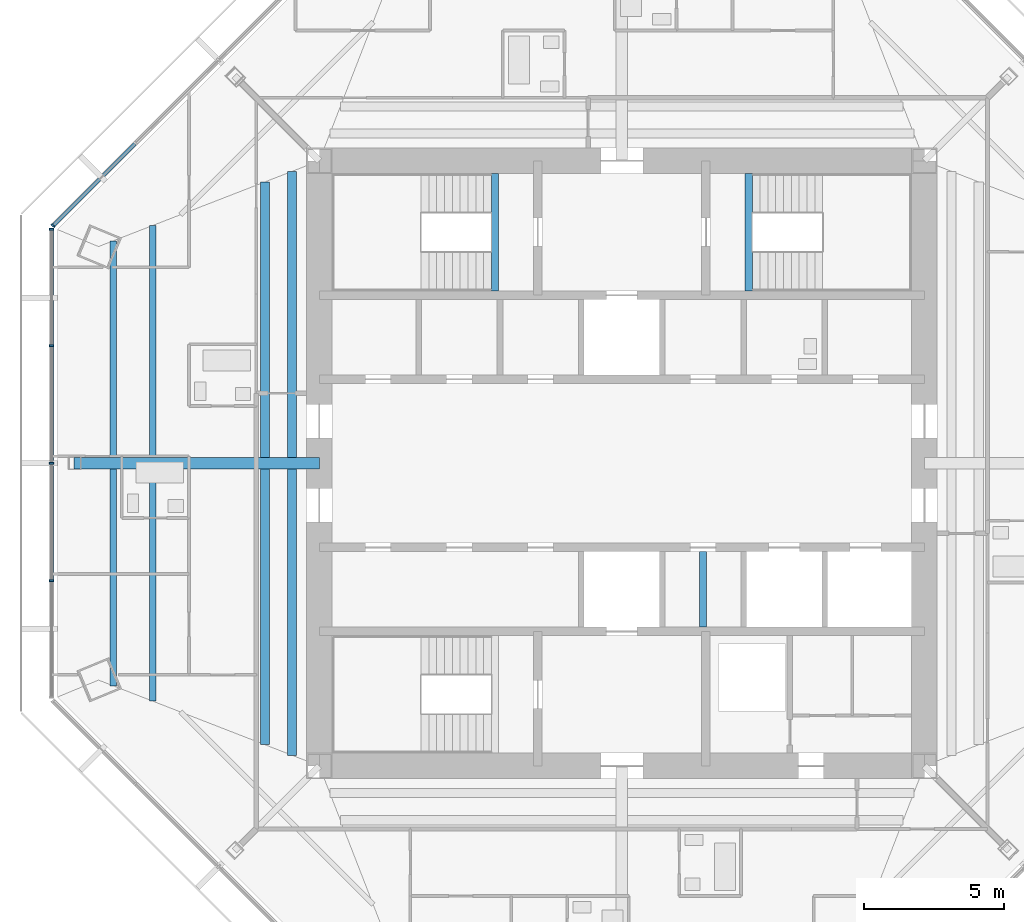
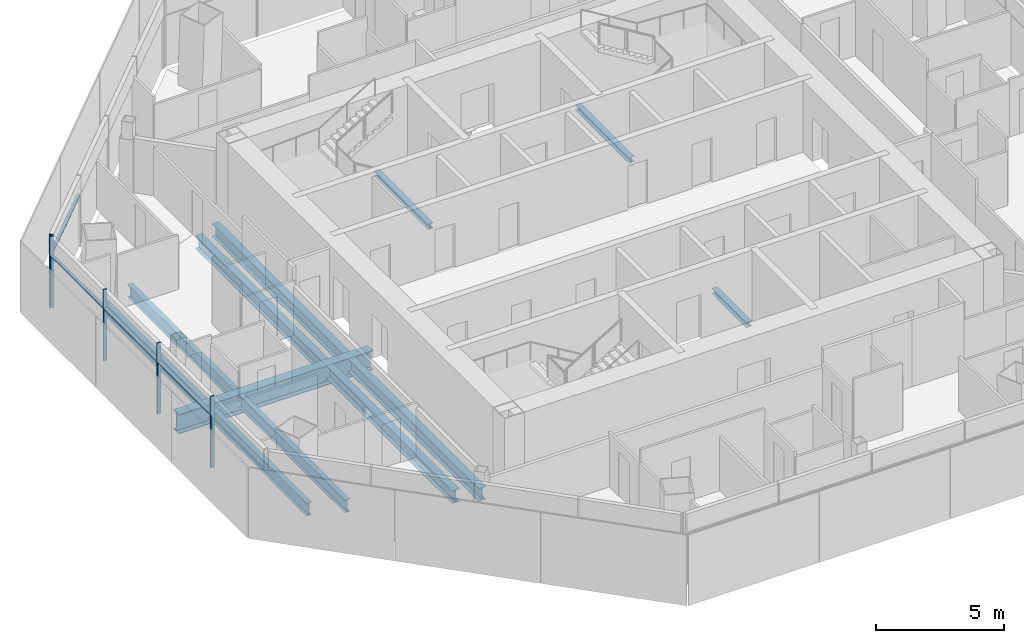
# One storey, part 4 of 15: 12 beams, 9 members, 2 elements without a shape of their own.
"""IFC4 building model written with IfcOpenShell, lengths in metres."""

import ifcopenshell
import ifcopenshell.guid

model = None  # the IFC model being written
_history = None  # IfcOwnerHistory: only IFC2X3 demands one
_inside = {}  # id of a spatial element -> (the spatial element, [elements in it])
_under = {}  # id of a project, library or spatial element -> (it, [spatial elements below it])
_declared = {}  # id of a project -> (the project, [libraries it declares])
_typed = {}  # id of a type object -> (the type object, [elements of that type])
_made_of = {}  # id of a material, layer set ... -> (it, [elements and type objects made of it])


def new_model(schema):
    """Start an empty IFC model of exactly this schema.

    Asked for "IFC4X3", IfcOpenShell would pick the latest addendum, in which some entities
    have other attributes; the version numbers below select the first issue.
    IFC2X3 requires an IfcOwnerHistory on every rooted entity: one is made here for all.
    """
    global model, _history
    if schema == "IFC4X3":
        model = ifcopenshell.file(schema_version=(4, 3, 0, 0))
    else:
        model = ifcopenshell.file(schema=schema)
    _inside.clear()
    _under.clear()
    _declared.clear()
    _typed.clear()
    _made_of.clear()
    _history = None
    if model.schema == "IFC2X3":
        org = make("IfcOrganization", Name="unknown")
        user = make(
            "IfcPersonAndOrganization",
            ThePerson=make("IfcPerson", FamilyName="unknown"),
            TheOrganization=org,
        )
        app = make(
            "IfcApplication",
            ApplicationDeveloper=org,
            Version="unknown",
            ApplicationFullName="unknown",
            ApplicationIdentifier="unknown",
        )
        _history = make(
            "IfcOwnerHistory",
            OwningUser=user,
            OwningApplication=app,
            ChangeAction="ADDED",
            CreationDate=0,
        )
    return model


def make(cls, **values):
    """One entity of the class cls with the attributes given. An attribute that is None is left unset."""
    return model.create_entity(
        cls, **{name: value for name, value in values.items() if value is not None}
    )


def rooted(cls, **values):
    """An entity with a GlobalId (a new one), such as an element, a storey or a relation."""
    return make(cls, GlobalId=ifcopenshell.guid.new(), OwnerHistory=_history, **values)


def si_unit(unit_type, name, prefix=None):
    """IfcSIUnit, for example si_unit("LENGTHUNIT", "METRE", prefix="MILLI")."""
    return make("IfcSIUnit", UnitType=unit_type, Prefix=prefix, Name=name)


def assignment(units):
    """IfcUnitAssignment: the units of a project."""
    return None if units is None else make("IfcUnitAssignment", Units=units)


def point(xyz):
    """IfcCartesianPoint."""
    return None if xyz is None else make("IfcCartesianPoint", Coordinates=xyz)


def direction(xyz):
    """IfcDirection."""
    return None if xyz is None else make("IfcDirection", DirectionRatios=xyz)


def frame(location, z_axis=None, x_axis=None):
    """IfcAxis2Placement3D, a coordinate frame: its origin and axes. An axis left out is left unset."""
    return make(
        "IfcAxis2Placement3D",
        Location=point(location),
        Axis=direction(z_axis),
        RefDirection=direction(x_axis),
    )


def frame_2d(location, x_axis=None):
    """IfcAxis2Placement2D, a coordinate frame in the plane: its origin and x axis."""
    return make(
        "IfcAxis2Placement2D", Location=point(location), RefDirection=direction(x_axis)
    )


def origin():
    """The frame at (0, 0, 0) with its axes left unset."""
    return frame((0.0, 0.0, 0.0))


def origin_2d():
    """The frame at (0, 0) in the plane with its x axis left unset."""
    return frame_2d((0.0, 0.0))


def place(relative_to, where):
    """IfcLocalPlacement: puts the frame where relative to a parent placement (None: the world)."""
    return make(
        "IfcLocalPlacement", PlacementRelTo=relative_to, RelativePlacement=where
    )


def context(
    kind, dimensions, precision=None, world=None, true_north=None, identifier=None
):
    """IfcGeometricRepresentationContext, for example the 3D "Model" context."""
    return make(
        "IfcGeometricRepresentationContext",
        ContextIdentifier=identifier,
        ContextType=kind,
        CoordinateSpaceDimension=dimensions,
        Precision=precision,
        WorldCoordinateSystem=world,
        TrueNorth=true_north,
    )


def subcontext(parent, identifier, kind, view, scale=None):
    """IfcGeometricRepresentationSubContext, for example "Body" below "Model"."""
    return make(
        "IfcGeometricRepresentationSubContext",
        ContextIdentifier=identifier,
        ContextType=kind,
        ParentContext=parent,
        TargetScale=scale,
        TargetView=view,
    )


def project(units=None, contexts=None):
    """IfcProject with its units and contexts."""
    return rooted(
        "IfcProject",
        Name="project",
        RepresentationContexts=contexts,
        UnitsInContext=assignment(units),
    )


def spatial(cls, under=None, at=None, **own):
    """A site, building, storey or space (cls), placed at a placement, below another one or the project."""
    s = rooted(cls, ObjectPlacement=at, **own)
    if under is not None:
        _under.setdefault(under.id(), (under, []))[1].append(s)
    return s


def profile(cls, at=None, kind="AREA", **sizes):
    """A parametric profile (cls). Its sizes go by their IFC names, for example OverallWidth=200.0."""
    return make(cls, ProfileType=kind, Position=at, **sizes)


def rectangle(**sizes):
    """IfcRectangleProfileDef."""
    return profile("IfcRectangleProfileDef", **sizes)


def i_section(**sizes):
    """IfcIShapeProfileDef."""
    return profile("IfcIShapeProfileDef", **sizes)


def extrude(swept, where, along, depth):
    """IfcExtrudedAreaSolid: the profile swept, set in the frame where, extruded along a direction by depth."""
    return make(
        "IfcExtrudedAreaSolid",
        SweptArea=swept,
        Position=where,
        ExtrudedDirection=direction(along),
        Depth=depth,
    )


def shape(context_of_items, identifier, shape_type, items):
    """IfcShapeRepresentation: the items that make up one representation, for example the "Body"."""
    return make(
        "IfcShapeRepresentation",
        ContextOfItems=context_of_items,
        RepresentationIdentifier=identifier,
        RepresentationType=shape_type,
        Items=items,
    )


def source(mapping_origin, context_of_items, identifier, shape_type, items):
    """IfcRepresentationMap: a shape defined once, which mapped items show again and again."""
    return make(
        "IfcRepresentationMap",
        MappingOrigin=mapping_origin,
        MappedRepresentation=shape(context_of_items, identifier, shape_type, items),
    )


def transform(
    local_origin,
    x_axis=None,
    y_axis=None,
    z_axis=None,
    scale=None,
    scale2=None,
    scale3=None,
    uniform=True,
):
    """IfcCartesianTransformationOperator3D, or its non-uniform kind. x_axis, y_axis, z_axis: its Axis1, 2, 3."""
    if uniform:
        return make(
            "IfcCartesianTransformationOperator3D",
            Axis1=direction(x_axis),
            Axis2=direction(y_axis),
            LocalOrigin=point(local_origin),
            Scale=scale,
            Axis3=direction(z_axis),
        )
    return make(
        "IfcCartesianTransformationOperator3DnonUniform",
        Axis1=direction(x_axis),
        Axis2=direction(y_axis),
        LocalOrigin=point(local_origin),
        Scale=scale,
        Axis3=direction(z_axis),
        Scale2=scale2,
        Scale3=scale3,
    )


def mapped(mapping_source, mapping_target):
    """IfcMappedItem: shows the shape of a source again, moved by a transform."""
    return make(
        "IfcMappedItem", MappingSource=mapping_source, MappingTarget=mapping_target
    )


def material(Name=None, Category=None):
    """IfcMaterial."""
    return make("IfcMaterial", Name=Name, Category=Category)


def material_profile(
    of_material, cross_section, Name=None, Category=None, Priority=None
):
    """IfcMaterialProfile: a cross section and its material."""
    return make(
        "IfcMaterialProfile",
        Name=Name,
        Material=of_material,
        Profile=cross_section,
        Priority=Priority,
        Category=Category,
    )


def profile_set(profiles, Name=None, composite=None):
    """IfcMaterialProfileSet."""
    return make(
        "IfcMaterialProfileSet",
        Name=Name,
        MaterialProfiles=profiles,
        CompositeProfile=composite,
    )


def made_of(thing, what):
    """Note that an element or type object is made of a material, layer set ...; save() writes the relation."""
    if what is not None:
        _made_of.setdefault(what.id(), (what, []))[1].append(thing)
    return thing


def type_object(cls, material=None, **own):
    """A type object (cls), such as IfcWallType, which elements share."""
    return made_of(rooted(cls, **own), material)


def type_shapes(of_type, sources):
    """Give a type object the sources (RepresentationMaps) that its elements show as mapped items."""
    of_type.RepresentationMaps = sources


def element(
    cls,
    number,
    at=None,
    inside=None,
    cuts=None,
    type_object=None,
    material=None,
    context=None,
    identifier="Body",
    shape_type=None,
    held_by="IfcProductDefinitionShape",
    body=None,
    shapes=None,
    **own,
):
    """One element of the class cls, such as IfcWall. Its Tag is "e" and its number.

    at: its placement. inside: the storey or other place that contains it. cuts: it is an
    opening in that element (IfcRelVoidsElement). A single representation is given by context,
    identifier, shape_type and body (its items); several are given by shapes. held_by: the class
    of the entity that holds the representations. save() writes the other relations.
    """
    e = rooted(cls, Tag="e%d" % number, ObjectPlacement=at, **own)
    if body is not None:
        shapes = [shape(context, identifier, shape_type, body)]
    if shapes is not None:
        e.Representation = make(held_by, Representations=shapes)
    if inside is not None:
        _inside.setdefault(inside.id(), (inside, []))[1].append(e)
    if cuts is not None:
        rooted(
            "IfcRelVoidsElement", RelatingBuildingElement=cuts, RelatedOpeningElement=e
        )
    if type_object is not None:
        _typed.setdefault(type_object.id(), (type_object, []))[1].append(e)
    return made_of(e, material)


def aggregate(whole, parts):
    """IfcRelAggregates: a whole, such as a stair, and the parts it consists of."""
    return rooted("IfcRelAggregates", RelatingObject=whole, RelatedObjects=parts)


def save(model, path):
    """Write the relations noted so far, then the file.

    IfcRelAggregates (storeys below a building ...), IfcRelContainedInSpatialStructure (elements
    in a storey), IfcRelDefinesByType, IfcRelAssociatesMaterial and IfcRelDeclares: one each for
    every whole, place, type object, material and project.
    """
    for whole, parts in _under.values():
        aggregate(whole, parts)
    for where, things in _inside.values():
        rooted(
            "IfcRelContainedInSpatialStructure",
            RelatedElements=things,
            RelatingStructure=where,
        )
    for kind, things in _typed.values():
        rooted("IfcRelDefinesByType", RelatedObjects=things, RelatingType=kind)
    for what, things in _made_of.values():
        rooted("IfcRelAssociatesMaterial", RelatedObjects=things, RelatingMaterial=what)
    for by, libraries in _declared.values():
        rooted("IfcRelDeclares", RelatingContext=by, RelatedDefinitions=libraries)
    model.write(path)


model = new_model("IFC4")

# Units and contexts
model_context = context("Model", 3, precision=1e-05, world=origin(), true_north=direction((0.0, 1.0)))
body_context = subcontext(model_context, "Body", "Model", "MODEL_VIEW")
ifc_project = project(units=[si_unit("LENGTHUNIT", "METRE"), si_unit("AREAUNIT", "SQUARE_METRE"), si_unit("VOLUMEUNIT", "CUBIC_METRE"), si_unit("PLANEANGLEUNIT", "RADIAN"), si_unit("MASSUNIT", "GRAM", prefix="KILO")], contexts=[model_context])

# Site, building, storey
site_placement = place(None, origin())
site = spatial("IfcSite", under=ifc_project, at=site_placement, CompositionType="ELEMENT")
building_placement = place(site_placement, origin())
building = spatial("IfcBuilding", under=site, at=building_placement, Name="Mashrafa Tower", CompositionType="ELEMENT")
storey_placement = place(building_placement, frame((0.0, 0.0, 270.800048828125)))
storey = spatial("IfcBuildingStorey", under=building, at=storey_placement, Name="L65", CompositionType="ELEMENT", Elevation=270.800048828125)

# Beams
ifc_material_1 = material(Name="Steel ASTM A992", Category="steel")
ifc_material_profile_1 = material_profile(ifc_material_1, i_section(OverallWidth=0.3251953125, OverallDepth=0.612060546875, WebThickness=0.0126953125, FlangeThickness=0.01904296875, FilletRadius=0.0126953125, at=origin_2d()), Name="W24X104")
ifc_profile_set_1 = profile_set([ifc_material_profile_1], Name="Steel ASTM A992")
beam_type_1 = type_object("IfcBeamType", Name="Beam W24X104", PredefinedType="BEAM", material=ifc_profile_set_1)
for number, where, z_axis, x_axis, name in (
    (1, (-12.740966796875, -10.0458984375, -0.506103515625), (0.0, 1.0, 0.0), (-1.0, 0.0, 0.0), "Floor beam L65 006"),
    (2, (-12.740966796875, 0.20947265625, -0.506103515625), (0.0, 1.0, 0.0), (-1.0, 0.0, 0.0), "Floor beam L65 007"),
):
    element("IfcBeam", number, at=place(storey_placement, frame(where, z_axis=z_axis, x_axis=x_axis)), inside=storey, type_object=beam_type_1, Name=name, PredefinedType="BEAM", context=body_context, shape_type="SweptSolid", body=[
        extrude(i_section(OverallWidth=0.3251953125, OverallDepth=0.612060546875, WebThickness=0.0126953125, FlangeThickness=0.01904296875, FilletRadius=0.0126953125, at=origin_2d()), origin(), (0.0, 0.0, 1.0), 9.83642578125),
    ])
for number, where, z_axis, x_axis, name in (
    (3, (-11.7705078125, -10.423095703125, -0.506103515625), (0.0, 1.0, 0.0), (-1.0, 0.0, 0.0), "Floor beam L65 010"),
    (4, (-11.7705078125, 0.20947265625, -0.506103515625), (0.0, 1.0, 0.0), (-1.0, 0.0, 0.0), "Floor beam L65 011"),
):
    element("IfcBeam", number, at=place(storey_placement, frame(where, z_axis=z_axis, x_axis=x_axis)), inside=storey, type_object=beam_type_1, Name=name, PredefinedType="BEAM", context=body_context, shape_type="SweptSolid", body=[
        extrude(i_section(OverallWidth=0.3251953125, OverallDepth=0.612060546875, WebThickness=0.0126953125, FlangeThickness=0.01904296875, FilletRadius=0.0126953125, at=origin_2d()), origin(), (0.0, 0.0, 1.0), 10.213623046875),
    ])
ifc_material_2 = material(Name="Steel ASTM A992", Category="steel")
ifc_material_profile_2 = material_profile(ifc_material_2, i_section(OverallWidth=0.227783203125, OverallDepth=0.60205078125, WebThickness=0.010498046875, FlangeThickness=0.014892578125, FilletRadius=0.012939453125, at=origin_2d()), Name="W24X68")
ifc_profile_set_2 = profile_set([ifc_material_profile_2], Name="Steel ASTM A992")
beam_type_2 = type_object("IfcBeamType", Name="Beam W24X68", PredefinedType="BEAM", material=ifc_profile_set_2)
for number, where, z_axis, x_axis, name in (
    (5, (-18.150390625, -7.944580078125, -0.5009765625), (0.0, 1.0, 0.0), (-1.0, 0.0, 0.0), "Floor beam L65 001"),
    (6, (-18.150390625, 0.20947265625, -0.5009765625), (0.0, 1.0, 0.0), (-1.0, 0.0, 0.0), "Floor beam L65 002"),
):
    element("IfcBeam", number, at=place(storey_placement, frame(where, z_axis=z_axis, x_axis=x_axis)), inside=storey, type_object=beam_type_2, Name=name, PredefinedType="BEAM", context=body_context, shape_type="SweptSolid", body=[
        extrude(i_section(OverallWidth=0.227783203125, OverallDepth=0.60205078125, WebThickness=0.010498046875, FlangeThickness=0.014892578125, FilletRadius=0.012939453125, at=origin_2d()), origin(), (0.0, 0.0, 1.0), 7.735107421875),
    ])
for number, where, z_axis, x_axis, name in (
    (7, (-16.740966796875, -8.4921875, -0.5009765625), (0.0, 1.0, 0.0), (-1.0, 0.0, 0.0), "Floor beam L65 003"),
    (8, (-16.740966796875, 0.20947265625, -0.5009765625), (0.0, 1.0, 0.0), (-1.0, 0.0, 0.0), "Floor beam L65 004"),
):
    element("IfcBeam", number, at=place(storey_placement, frame(where, z_axis=z_axis, x_axis=x_axis)), inside=storey, type_object=beam_type_2, Name=name, PredefinedType="BEAM", context=body_context, shape_type="SweptSolid", body=[
        extrude(i_section(OverallWidth=0.227783203125, OverallDepth=0.60205078125, WebThickness=0.010498046875, FlangeThickness=0.014892578125, FilletRadius=0.012939453125, at=origin_2d()), origin(), (0.0, 0.0, 1.0), 8.28271484375),
    ])
ifc_material_3 = material(Name="Steel ASTM A992", Category="steel")
ifc_material_profile_3 = material_profile(ifc_material_3, i_section(OverallWidth=0.419189453125, OverallDepth=0.927001953125, WebThickness=0.019287109375, FlangeThickness=0.031982421875, FilletRadius=0.020263671875, at=origin_2d()), Name="W36X231")
ifc_profile_set_3 = profile_set([ifc_material_profile_3], Name="Steel ASTM A992")
beam_type_3 = type_object("IfcBeamType", Name="Beam W36X231", PredefinedType="BEAM", material=ifc_profile_set_3)
beam_1_placement = place(storey_placement, frame((-10.800048828125, 0.0, -0.66357421875), z_axis=(-1.0, 0.0, 0.0), x_axis=(0.0, -1.0, 0.0)))
element("IfcBeam", 9, at=beam_1_placement, inside=storey, type_object=beam_type_3, Name="Radial girder L65 042", PredefinedType="BEAM", context=body_context, shape_type="SweptSolid", body=[
    extrude(i_section(OverallWidth=0.419189453125, OverallDepth=0.927001953125, WebThickness=0.019287109375, FlangeThickness=0.031982421875, FilletRadius=0.020263671875, at=origin_2d()), origin(), (0.0, 0.0, 1.0), 8.759765625),
])
ifc_material_4 = material(Name="Steel ASTM A992", Category="steel")
ifc_material_profile_4 = material_profile(ifc_material_4, i_section(OverallWidth=0.25390625, OverallDepth=0.25390625, WebThickness=0.008544921875, FlangeThickness=0.01416015625, FilletRadius=0.010009765625, at=origin_2d()), Name="W10X49")
ifc_profile_set_4 = profile_set([ifc_material_profile_4], Name="Steel ASTM A992")
beam_type_4 = type_object("IfcBeamType", Name="Hoistway beam W10X49", PredefinedType="BEAM", material=ifc_profile_set_4)
beam_2_placement = place(storey_placement, frame((2.89990234375, -5.85009765625, -0.3271484375), z_axis=(0.0, 1.0, 0.0), x_axis=(-1.0, 0.0, 0.0)))
element("IfcBeam", 10, at=beam_2_placement, inside=storey, type_object=beam_type_4, Name="Hoistway beam L65 08", PredefinedType="BEAM", context=body_context, shape_type="SweptSolid", body=[
    extrude(i_section(OverallWidth=0.25390625, OverallDepth=0.25390625, WebThickness=0.008544921875, FlangeThickness=0.01416015625, FilletRadius=0.010009765625, at=origin_2d()), origin(), (0.0, 0.0, 1.0), 2.7001953125),
])
for number, where, z_axis, x_axis, name in (
    (11, (-4.530029296875, 6.14990234375, -0.3271484375), (0.0, 1.0, 0.0), (-1.0, 0.0, 0.0), "Stair S1 landing beam L65"),
    (12, (4.530029296875, 6.14990234375, -0.3271484375), (0.0, 1.0, 0.0), (-1.0, 0.0, 0.0), "Stair S2 landing beam L65"),
):
    element("IfcBeam", number, at=place(storey_placement, frame(where, z_axis=z_axis, x_axis=x_axis)), inside=storey, type_object=beam_type_4, Name=name, PredefinedType="BEAM", context=body_context, shape_type="SweptSolid", body=[
        extrude(i_section(OverallWidth=0.25390625, OverallDepth=0.25390625, WebThickness=0.008544921875, FlangeThickness=0.01416015625, FilletRadius=0.010009765625, at=origin_2d()), origin(), (0.0, 0.0, 1.0), 4.2001953125),
    ])

# Curtain wall, member
ifc_material_5 = material(Name="Unitised aluminium curtain wall", Category="aluminium")
curtain_wall_type = type_object("IfcCurtainWallType", Name="Apartment curtain wall, zone 4 CW-D 160 deep", PredefinedType="NOTDEFINED", material=ifc_material_5)
curtain_wall_1_placement = place(storey_placement, origin())
curtain_wall_1 = element("IfcCurtainWall", 13, at=curtain_wall_1_placement, inside=storey, type_object=curtain_wall_type, Name="Apartment curtain wall, zone 4 L65 north-west", PredefinedType="NOTDEFINED")
ifc_material_6 = material(Name="Extruded aluminium mullion", Category="aluminium")
ifc_material_profile_5 = material_profile(ifc_material_6, rectangle(XDim=0.159912109375, YDim=0.06005859375, at=origin_2d()), Name="Mullion 60x160")
ifc_profile_set_5 = profile_set([ifc_material_profile_5], Name="Extruded aluminium mullion")
member_type_1 = type_object("IfcMemberType", Name="Mullion CW-D 60 x 160", PredefinedType="MULLION", material=ifc_profile_set_5)
shared_shape_1 = source(origin(), body_context, "Body", "SweptSolid", [
    extrude(rectangle(XDim=0.159912109375, YDim=0.06005859375, at=origin_2d()), origin(), (0.0, 0.0, 1.0), 3.39990234375),
])
type_shapes(member_type_1, [shared_shape_1])
member_1_placement = place(storey_placement, frame((-20.302490234375, 8.482666015625, 0.0), z_axis=(0.0, 0.0, 1.0), x_axis=(0.707106781187, -0.707106781187, 0.0)))
member_1 = element("IfcMember", 14, at=member_1_placement, type_object=member_type_1, Name="CW-D mullion 5", PredefinedType="MULLION", context=body_context, shape_type="MappedRepresentation", body=[
    mapped(shared_shape_1, transform((0.0, 0.0, 0.0))),
])

# Curtain wall, members
curtain_wall_2_placement = place(storey_placement, origin())
curtain_wall_2 = element("IfcCurtainWall", 15, at=curtain_wall_2_placement, inside=storey, type_object=curtain_wall_type, Name="Apartment curtain wall, zone 4 L65 west", PredefinedType="NOTDEFINED")
member_2_placement = place(storey_placement, frame((-20.354248046875, 8.35791015625, 0.0), z_axis=(0.0, 0.0, 1.0), x_axis=(1.0, 0.0, 0.0)))
member_2 = element("IfcMember", 16, at=member_2_placement, type_object=member_type_1, Name="CW-D mullion 1", PredefinedType="MULLION", context=body_context, shape_type="MappedRepresentation", body=[
    mapped(shared_shape_1, transform((0.0, 0.0, 0.0))),
])
member_3_placement = place(storey_placement, frame((-20.354248046875, 4.19384765625, 0.0), z_axis=(0.0, 0.0, 1.0), x_axis=(1.0, 0.0, 0.0)))
member_3 = element("IfcMember", 17, at=member_3_placement, type_object=member_type_1, Name="CW-D mullion 2", PredefinedType="MULLION", context=body_context, shape_type="MappedRepresentation", body=[
    mapped(shared_shape_1, transform((0.0, 0.0, 0.0))),
])
member_4_placement = place(storey_placement, frame((-20.354248046875, 0.0, 0.0), z_axis=(0.0, 0.0, 1.0), x_axis=(1.0, 0.0, 0.0)))
member_4 = element("IfcMember", 18, at=member_4_placement, type_object=member_type_1, Name="CW-D mullion 3", PredefinedType="MULLION", context=body_context, shape_type="MappedRepresentation", body=[
    mapped(shared_shape_1, transform((0.0, 0.0, 0.0))),
])
member_5_placement = place(storey_placement, frame((-20.354248046875, -4.19384765625, 0.0), z_axis=(0.0, 0.0, 1.0), x_axis=(1.0, 0.0, 0.0)))
member_5 = element("IfcMember", 19, at=member_5_placement, type_object=member_type_1, Name="CW-D mullion 4", PredefinedType="MULLION", context=body_context, shape_type="MappedRepresentation", body=[
    mapped(shared_shape_1, transform((0.0, 0.0, 0.0))),
])
ifc_material_7 = material(Name="Extruded aluminium transom", Category="aluminium")
ifc_material_profile_6 = material_profile(ifc_material_7, rectangle(XDim=0.1279296875, YDim=0.074951171875, at=origin_2d()), Name="Transom 75x128")
ifc_profile_set_6 = profile_set([ifc_material_profile_6], Name="Extruded aluminium transom")
member_type_2 = type_object("IfcMemberType", Name="Transom CW-D 75 x 128", PredefinedType="MULLION", material=ifc_profile_set_6)
shared_shape_2 = source(origin(), body_context, "Body", "SweptSolid", [
    extrude(rectangle(XDim=0.1279296875, YDim=0.074951171875, at=origin_2d()), origin(), (0.0, 0.0, 1.0), 4.10400390625),
])
member_6_placement = place(storey_placement, frame((-20.354248046875, 8.327880859375, 2.5), z_axis=(0.0, -1.0, 0.0), x_axis=(1.0, 0.0, 0.0)))
member_6 = element("IfcMember", 20, at=member_6_placement, type_object=member_type_2, Name="CW-D transom 1", PredefinedType="MULLION", context=body_context, shape_type="MappedRepresentation", body=[
    mapped(shared_shape_2, transform((0.0, 0.0, 0.0))),
])
shared_shape_3 = source(origin(), body_context, "Body", "SweptSolid", [
    extrude(rectangle(XDim=0.1279296875, YDim=0.074951171875, at=origin_2d()), origin(), (0.0, 0.0, 1.0), 4.1337890625),
])
member_7_placement = place(storey_placement, frame((-20.354248046875, 4.163818359375, 2.5), z_axis=(0.0, -1.0, 0.0), x_axis=(1.0, 0.0, 0.0)))
member_7 = element("IfcMember", 21, at=member_7_placement, type_object=member_type_2, Name="CW-D transom 2", PredefinedType="MULLION", context=body_context, shape_type="MappedRepresentation", body=[
    mapped(shared_shape_3, transform((0.0, 0.0, 0.0))),
])
member_8_placement = place(storey_placement, frame((-20.354248046875, -0.030029296875, 2.5), z_axis=(0.0, -1.0, 0.0), x_axis=(1.0, 0.0, 0.0)))
member_8 = element("IfcMember", 22, at=member_8_placement, type_object=member_type_2, Name="CW-D transom 3", PredefinedType="MULLION", context=body_context, shape_type="MappedRepresentation", body=[
    mapped(shared_shape_3, transform((0.0, 0.0, 0.0))),
])
aggregate(curtain_wall_2, [member_2, member_3, member_4, member_5, member_6, member_7, member_8])

# Member
shared_shape_4 = source(origin(), body_context, "Body", "SweptSolid", [
    extrude(rectangle(XDim=0.1279296875, YDim=0.074951171875, at=origin_2d()), origin(), (0.0, 0.0, 1.0), 4.103759765625),
])
type_shapes(member_type_2, [shared_shape_2, shared_shape_3, shared_shape_4])
member_9_placement = place(storey_placement, frame((-17.37939453125, 11.40576171875, 2.5), z_axis=(-0.707106781187, -0.707106781187, 0.0), x_axis=(0.707106781187, -0.707106781187, 0.0)))
member_9 = element("IfcMember", 23, at=member_9_placement, type_object=member_type_2, Name="CW-D transom 4", PredefinedType="MULLION", context=body_context, shape_type="MappedRepresentation", body=[
    mapped(shared_shape_4, transform((0.0, 0.0, 0.0))),
])

aggregate(curtain_wall_1, [member_1, member_9])

save(model, "model.ifc")
